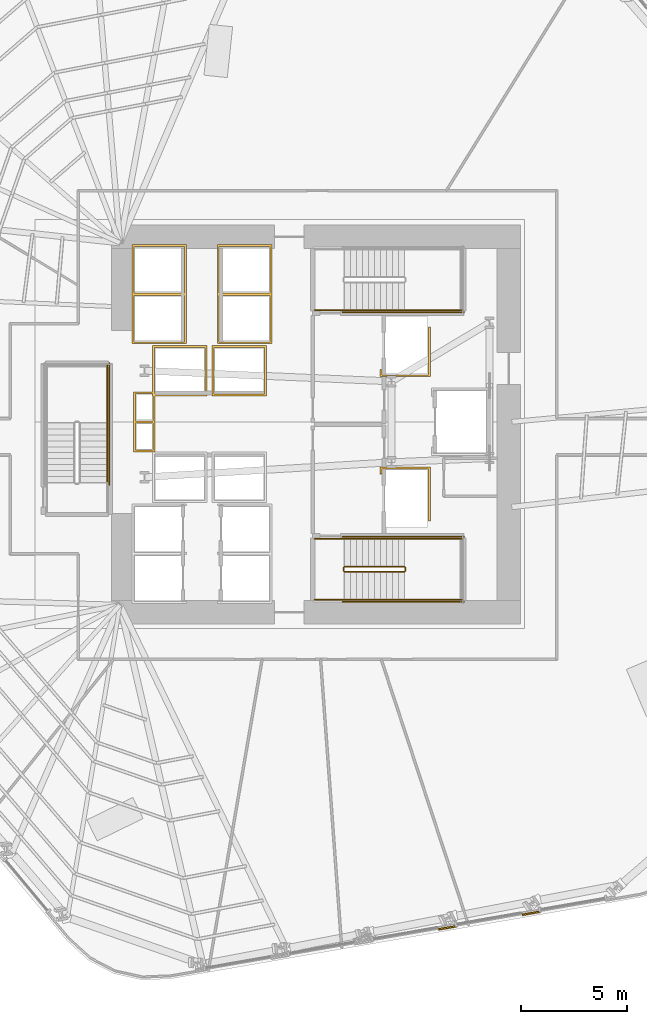
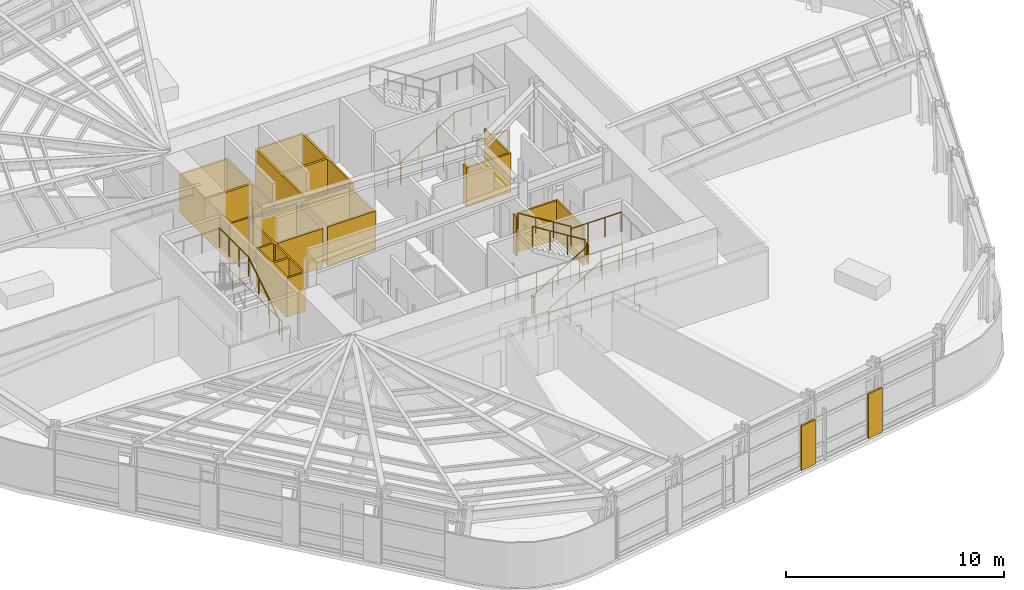
# One storey, part 12 of 16: 19 railings, 8 coverings.
"""IFC4 building model written with IfcOpenShell, lengths in metres."""

import ifcopenshell
import ifcopenshell.guid

model = None  # the IFC model being written
_history = None  # IfcOwnerHistory: only IFC2X3 demands one
_inside = {}  # id of a spatial element -> (the spatial element, [elements in it])
_under = {}  # id of a project, library or spatial element -> (it, [spatial elements below it])
_declared = {}  # id of a project -> (the project, [libraries it declares])
_typed = {}  # id of a type object -> (the type object, [elements of that type])
_made_of = {}  # id of a material, layer set ... -> (it, [elements and type objects made of it])


def new_model(schema):
    """Start an empty IFC model of exactly this schema.

    Asked for "IFC4X3", IfcOpenShell would pick the latest addendum, in which some entities
    have other attributes; the version numbers below select the first issue.
    IFC2X3 requires an IfcOwnerHistory on every rooted entity: one is made here for all.
    """
    global model, _history
    if schema == "IFC4X3":
        model = ifcopenshell.file(schema_version=(4, 3, 0, 0))
    else:
        model = ifcopenshell.file(schema=schema)
    _inside.clear()
    _under.clear()
    _declared.clear()
    _typed.clear()
    _made_of.clear()
    _history = None
    if model.schema == "IFC2X3":
        org = make("IfcOrganization", Name="unknown")
        user = make(
            "IfcPersonAndOrganization",
            ThePerson=make("IfcPerson", FamilyName="unknown"),
            TheOrganization=org,
        )
        app = make(
            "IfcApplication",
            ApplicationDeveloper=org,
            Version="unknown",
            ApplicationFullName="unknown",
            ApplicationIdentifier="unknown",
        )
        _history = make(
            "IfcOwnerHistory",
            OwningUser=user,
            OwningApplication=app,
            ChangeAction="ADDED",
            CreationDate=0,
        )
    return model


def make(cls, **values):
    """One entity of the class cls with the attributes given. An attribute that is None is left unset."""
    return model.create_entity(
        cls, **{name: value for name, value in values.items() if value is not None}
    )


def rooted(cls, **values):
    """An entity with a GlobalId (a new one), such as an element, a storey or a relation."""
    return make(cls, GlobalId=ifcopenshell.guid.new(), OwnerHistory=_history, **values)


def si_unit(unit_type, name, prefix=None):
    """IfcSIUnit, for example si_unit("LENGTHUNIT", "METRE", prefix="MILLI")."""
    return make("IfcSIUnit", UnitType=unit_type, Prefix=prefix, Name=name)


def assignment(units):
    """IfcUnitAssignment: the units of a project."""
    return None if units is None else make("IfcUnitAssignment", Units=units)


def point(xyz):
    """IfcCartesianPoint."""
    return None if xyz is None else make("IfcCartesianPoint", Coordinates=xyz)


def direction(xyz):
    """IfcDirection."""
    return None if xyz is None else make("IfcDirection", DirectionRatios=xyz)


def frame(location, z_axis=None, x_axis=None):
    """IfcAxis2Placement3D, a coordinate frame: its origin and axes. An axis left out is left unset."""
    return make(
        "IfcAxis2Placement3D",
        Location=point(location),
        Axis=direction(z_axis),
        RefDirection=direction(x_axis),
    )


def frame_2d(location, x_axis=None):
    """IfcAxis2Placement2D, a coordinate frame in the plane: its origin and x axis."""
    return make(
        "IfcAxis2Placement2D", Location=point(location), RefDirection=direction(x_axis)
    )


def origin():
    """The frame at (0, 0, 0) with its axes left unset."""
    return frame((0.0, 0.0, 0.0))


def origin_2d():
    """The frame at (0, 0) in the plane with its x axis left unset."""
    return frame_2d((0.0, 0.0))


def place(relative_to, where):
    """IfcLocalPlacement: puts the frame where relative to a parent placement (None: the world)."""
    return make(
        "IfcLocalPlacement", PlacementRelTo=relative_to, RelativePlacement=where
    )


def context(
    kind, dimensions, precision=None, world=None, true_north=None, identifier=None
):
    """IfcGeometricRepresentationContext, for example the 3D "Model" context."""
    return make(
        "IfcGeometricRepresentationContext",
        ContextIdentifier=identifier,
        ContextType=kind,
        CoordinateSpaceDimension=dimensions,
        Precision=precision,
        WorldCoordinateSystem=world,
        TrueNorth=true_north,
    )


def subcontext(parent, identifier, kind, view, scale=None):
    """IfcGeometricRepresentationSubContext, for example "Body" below "Model"."""
    return make(
        "IfcGeometricRepresentationSubContext",
        ContextIdentifier=identifier,
        ContextType=kind,
        ParentContext=parent,
        TargetScale=scale,
        TargetView=view,
    )


def project(units=None, contexts=None):
    """IfcProject with its units and contexts."""
    return rooted(
        "IfcProject",
        Name="project",
        RepresentationContexts=contexts,
        UnitsInContext=assignment(units),
    )


def spatial(cls, under=None, at=None, **own):
    """A site, building, storey or space (cls), placed at a placement, below another one or the project."""
    s = rooted(cls, ObjectPlacement=at, **own)
    if under is not None:
        _under.setdefault(under.id(), (under, []))[1].append(s)
    return s


def polyline(points):
    """IfcPolyline through the points."""
    return make("IfcPolyline", Points=[point(p) for p in points])


def profile(cls, at=None, kind="AREA", **sizes):
    """A parametric profile (cls). Its sizes go by their IFC names, for example OverallWidth=200.0."""
    return make(cls, ProfileType=kind, Position=at, **sizes)


def circle(**sizes):
    """IfcCircleProfileDef."""
    return profile("IfcCircleProfileDef", **sizes)


def outline(outer, holes=None, kind="AREA"):
    """IfcArbitraryClosedProfileDef: a profile drawn as a closed curve; with holes, ...WithVoids."""
    if holes is None:
        return make("IfcArbitraryClosedProfileDef", ProfileType=kind, OuterCurve=outer)
    return make(
        "IfcArbitraryProfileDefWithVoids",
        ProfileType=kind,
        OuterCurve=outer,
        InnerCurves=holes,
    )


def extrude(swept, where, along, depth):
    """IfcExtrudedAreaSolid: the profile swept, set in the frame where, extruded along a direction by depth."""
    return make(
        "IfcExtrudedAreaSolid",
        SweptArea=swept,
        Position=where,
        ExtrudedDirection=direction(along),
        Depth=depth,
    )


def shape(context_of_items, identifier, shape_type, items):
    """IfcShapeRepresentation: the items that make up one representation, for example the "Body"."""
    return make(
        "IfcShapeRepresentation",
        ContextOfItems=context_of_items,
        RepresentationIdentifier=identifier,
        RepresentationType=shape_type,
        Items=items,
    )


def material(Name=None, Category=None):
    """IfcMaterial."""
    return make("IfcMaterial", Name=Name, Category=Category)


def layer(
    of_material, thickness, ventilated=None, Name=None, Category=None, Priority=None
):
    """IfcMaterialLayer: one layer of a wall or slab, of a material (None: an air gap)."""
    return make(
        "IfcMaterialLayer",
        Material=of_material,
        LayerThickness=thickness,
        IsVentilated=ventilated,
        Name=Name,
        Category=Category,
        Priority=Priority,
    )


def layer_set(layers, Name=None):
    """IfcMaterialLayerSet."""
    return make("IfcMaterialLayerSet", MaterialLayers=layers, LayerSetName=Name)


def made_of(thing, what):
    """Note that an element or type object is made of a material, layer set ...; save() writes the relation."""
    if what is not None:
        _made_of.setdefault(what.id(), (what, []))[1].append(thing)
    return thing


def type_object(cls, material=None, **own):
    """A type object (cls), such as IfcWallType, which elements share."""
    return made_of(rooted(cls, **own), material)


def element(
    cls,
    number,
    at=None,
    inside=None,
    cuts=None,
    type_object=None,
    material=None,
    context=None,
    identifier="Body",
    shape_type=None,
    held_by="IfcProductDefinitionShape",
    body=None,
    shapes=None,
    **own,
):
    """One element of the class cls, such as IfcWall. Its Tag is "e" and its number.

    at: its placement. inside: the storey or other place that contains it. cuts: it is an
    opening in that element (IfcRelVoidsElement). A single representation is given by context,
    identifier, shape_type and body (its items); several are given by shapes. held_by: the class
    of the entity that holds the representations. save() writes the other relations.
    """
    e = rooted(cls, Tag="e%d" % number, ObjectPlacement=at, **own)
    if body is not None:
        shapes = [shape(context, identifier, shape_type, body)]
    if shapes is not None:
        e.Representation = make(held_by, Representations=shapes)
    if inside is not None:
        _inside.setdefault(inside.id(), (inside, []))[1].append(e)
    if cuts is not None:
        rooted(
            "IfcRelVoidsElement", RelatingBuildingElement=cuts, RelatedOpeningElement=e
        )
    if type_object is not None:
        _typed.setdefault(type_object.id(), (type_object, []))[1].append(e)
    return made_of(e, material)


def aggregate(whole, parts):
    """IfcRelAggregates: a whole, such as a stair, and the parts it consists of."""
    return rooted("IfcRelAggregates", RelatingObject=whole, RelatedObjects=parts)


def save(model, path):
    """Write the relations noted so far, then the file.

    IfcRelAggregates (storeys below a building ...), IfcRelContainedInSpatialStructure (elements
    in a storey), IfcRelDefinesByType, IfcRelAssociatesMaterial and IfcRelDeclares: one each for
    every whole, place, type object, material and project.
    """
    for whole, parts in _under.values():
        aggregate(whole, parts)
    for where, things in _inside.values():
        rooted(
            "IfcRelContainedInSpatialStructure",
            RelatedElements=things,
            RelatingStructure=where,
        )
    for kind, things in _typed.values():
        rooted("IfcRelDefinesByType", RelatedObjects=things, RelatingType=kind)
    for what, things in _made_of.values():
        rooted("IfcRelAssociatesMaterial", RelatedObjects=things, RelatingMaterial=what)
    for by, libraries in _declared.values():
        rooted("IfcRelDeclares", RelatingContext=by, RelatedDefinitions=libraries)
    model.write(path)


model = new_model("IFC4")

# Units and contexts
model_context = context("Model", 3, precision=1e-05, world=origin(), true_north=direction((0.0, 1.0)))
body_context = subcontext(model_context, "Body", "Model", "MODEL_VIEW")
ifc_project = project(units=[si_unit("LENGTHUNIT", "METRE"), si_unit("AREAUNIT", "SQUARE_METRE"), si_unit("VOLUMEUNIT", "CUBIC_METRE"), si_unit("PLANEANGLEUNIT", "RADIAN"), si_unit("MASSUNIT", "GRAM", prefix="KILO")], contexts=[model_context])

# Site, building, storey
site_placement = place(None, origin())
site = spatial("IfcSite", under=ifc_project, at=site_placement, CompositionType="ELEMENT")
building_placement = place(site_placement, origin())
building = spatial("IfcBuilding", under=site, at=building_placement, Name="Valkerne Bourse Tower", CompositionType="ELEMENT")
storey_placement = place(building_placement, frame((0.0, 0.0, 65.800048828125)))
storey = spatial("IfcBuildingStorey", under=building, at=storey_placement, Name="L16", CompositionType="ELEMENT", Elevation=65.800048828125)

# Coverings
ifc_material_1 = material(Name="Bronze Anodised Aluminium AA 6063-T6", Category="aluminium")
ifc_layer_1 = layer(ifc_material_1, 0.06005859375)
ifc_layer_set_1 = layer_set([ifc_layer_1], Name="Bronze Anodised Aluminium AA 6063-T6")
covering_type_1 = type_object("IfcCoveringType", Name="COV-CRN-ALUM", PredefinedType="CLADDING", material=ifc_layer_set_1)
covering_1_placement = place(storey_placement, origin())
element("IfcCovering", 1, at=covering_1_placement, inside=storey, type_object=covering_type_1, Name="L16 Wind-Shaped Corner Aluminium Cladding 02", PredefinedType="CLADDING", context=body_context, shape_type="SweptSolid", body=[
    extrude(outline(polyline([(56.5048828125, 3.81298828125), (56.4912109375, 3.891845703125), (57.31884765625, 4.03564453125), (57.332763671875, 3.956787109375), (56.5048828125, 3.81298828125)])), origin(), (0.0, 0.0, 1.0), 2.5),
])
covering_2_placement = place(storey_placement, origin())
element("IfcCovering", 2, at=covering_2_placement, inside=storey, type_object=covering_type_1, Name="L16 Wind-Shaped Corner Aluminium Cladding 03", PredefinedType="CLADDING", context=body_context, shape_type="SweptSolid", body=[
    extrude(outline(polyline([(52.56787109375, 3.129638671875), (52.55419921875, 3.20849609375), (53.3818359375, 3.35205078125), (53.3955078125, 3.273193359375), (52.56787109375, 3.129638671875)])), origin(), (0.0, 0.0, 1.0), 2.5),
])
ifc_material_2 = material(Name="Gypsum Shaftwall Liner Board", Category="gypsum")
ifc_layer_2 = layer(ifc_material_2, 0.080078125)
ifc_layer_set_2 = layer_set([ifc_layer_2], Name="Gypsum Shaftwall Liner Board")
covering_type_2 = type_object("IfcCoveringType", Name="COV-SHF-CLAD", PredefinedType="CLADDING", material=ifc_layer_set_2)
covering_3_placement = place(storey_placement, origin())
element("IfcCovering", 3, at=covering_3_placement, inside=storey, type_object=covering_type_2, Name="L16 Hoistway & Riser Shaftwall Liner 04", PredefinedType="CLADDING", context=body_context, shape_type="SweptSolid", body=[
    extrude(outline(polyline([(38.239990234375, 28.409912109375), (39.1201171875, 28.409912109375), (39.1201171875, 30.580078125), (41.679931640625, 30.580078125), (41.679931640625, 28.219970703125), (39.239990234375, 28.219970703125), (39.239990234375, 27.0400390625), (39.239990234375, 26.9599609375), (39.239990234375, 25.590087890625), (38.239990234375, 25.590087890625), (38.239990234375, 26.9599609375), (38.239990234375, 27.0400390625), (38.239990234375, 28.409912109375)]), holes=[polyline([(39.2099609375, 30.489990234375), (39.2099609375, 28.409912109375), (39.239990234375, 28.409912109375), (39.239990234375, 28.31005859375), (41.590087890625, 28.31005859375), (41.590087890625, 30.489990234375), (39.2099609375, 30.489990234375)]), polyline([(38.330078125, 26.949951171875), (38.330078125, 25.679931640625), (39.14990234375, 25.679931640625), (39.14990234375, 26.949951171875), (38.330078125, 26.949951171875)]), polyline([(39.1201171875, 28.219970703125), (39.1201171875, 28.320068359375), (38.330078125, 28.320068359375), (38.330078125, 27.050048828125), (39.14990234375, 27.050048828125), (39.14990234375, 28.219970703125), (39.1201171875, 28.219970703125)])]), origin(), (0.0, 0.0, 1.0), 2.179931640625),
])
covering_4_placement = place(storey_placement, origin())
element("IfcCovering", 4, at=covering_4_placement, inside=storey, type_object=covering_type_2, Name="L16 Hoistway & Riser Shaftwall Liner 05", PredefinedType="CLADDING", context=body_context, shape_type="SweptSolid", body=[
    extrude(outline(polyline([(38.169921875, 35.330078125), (40.72998046875, 35.330078125), (40.72998046875, 33.030029296875), (40.72998046875, 32.969970703125), (40.72998046875, 30.669921875), (38.169921875, 30.669921875), (38.169921875, 32.969970703125), (38.169921875, 33.030029296875), (38.169921875, 35.330078125)]), holes=[polyline([(38.260009765625, 32.93994140625), (38.260009765625, 30.760009765625), (40.639892578125, 30.760009765625), (40.639892578125, 32.93994140625), (38.260009765625, 32.93994140625)]), polyline([(38.260009765625, 35.239990234375), (38.260009765625, 33.06005859375), (40.639892578125, 33.06005859375), (40.639892578125, 35.239990234375), (38.260009765625, 35.239990234375)])]), origin(), (0.0, 0.0, 1.0), 2.179931640625),
])
covering_5_placement = place(storey_placement, origin())
element("IfcCovering", 5, at=covering_5_placement, inside=storey, type_object=covering_type_2, Name="L16 Hoistway & Riser Shaftwall Liner 07", PredefinedType="CLADDING", context=body_context, shape_type="SweptSolid", body=[
    extrude(outline(polyline([(52.179931640625, 22.35009765625), (52.090087890625, 22.35009765625), (52.090087890625, 24.7900390625), (49.909912109375, 24.7900390625), (49.909912109375, 24.560791015625), (49.869384765625, 24.550537109375), (49.827880859375, 24.53564453125), (49.820068359375, 24.531982421875), (49.820068359375, 24.8798828125), (52.179931640625, 24.8798828125), (52.179931640625, 22.35009765625)])), origin(), (0.0, 0.0, 1.0), 2.179931640625),
])
covering_6_placement = place(storey_placement, origin())
element("IfcCovering", 6, at=covering_6_placement, inside=storey, type_object=covering_type_2, Name="L16 Hoistway & Riser Shaftwall Liner 09", PredefinedType="CLADDING", context=body_context, shape_type="SweptSolid", body=[
    extrude(outline(polyline([(44.47998046875, 28.219970703125), (41.919921875, 28.219970703125), (41.919921875, 30.580078125), (44.47998046875, 30.580078125), (44.47998046875, 28.219970703125)]), holes=[polyline([(42.010009765625, 30.489990234375), (42.010009765625, 28.31005859375), (44.389892578125, 28.31005859375), (44.389892578125, 30.489990234375), (42.010009765625, 30.489990234375)])]), origin(), (0.0, 0.0, 1.0), 2.179931640625),
])
covering_7_placement = place(storey_placement, origin())
element("IfcCovering", 7, at=covering_7_placement, inside=storey, type_object=covering_type_2, Name="L16 Hoistway & Riser Shaftwall Liner 10", PredefinedType="CLADDING", context=body_context, shape_type="SweptSolid", body=[
    extrude(outline(polyline([(49.820068359375, 29.1201171875), (49.820068359375, 29.468017578125), (49.827880859375, 29.46435546875), (49.869384765625, 29.449462890625), (49.909912109375, 29.439208984375), (49.909912109375, 29.2099609375), (52.090087890625, 29.2099609375), (52.090087890625, 31.449951171875), (52.179931640625, 31.449951171875), (52.179931640625, 29.1201171875), (49.820068359375, 29.1201171875)])), origin(), (0.0, 0.0, 1.0), 2.179931640625),
])
covering_8_placement = place(storey_placement, origin())
element("IfcCovering", 8, at=covering_8_placement, inside=storey, type_object=covering_type_2, Name="L16 Hoistway & Riser Shaftwall Liner 11", PredefinedType="CLADDING", context=body_context, shape_type="SweptSolid", body=[
    extrude(outline(polyline([(44.72998046875, 35.330078125), (44.72998046875, 33.030029296875), (44.72998046875, 32.969970703125), (44.72998046875, 30.669921875), (42.169921875, 30.669921875), (42.169921875, 32.969970703125), (42.169921875, 33.030029296875), (42.169921875, 35.330078125), (44.72998046875, 35.330078125)]), holes=[polyline([(42.260009765625, 30.760009765625), (44.639892578125, 30.760009765625), (44.639892578125, 32.93994140625), (42.260009765625, 32.93994140625), (42.260009765625, 30.760009765625)]), polyline([(42.260009765625, 33.06005859375), (44.639892578125, 33.06005859375), (44.639892578125, 35.239990234375), (42.260009765625, 35.239990234375), (42.260009765625, 33.06005859375)])]), origin(), (0.0, 0.0, 1.0), 2.179931640625),
])

# Railings
ifc_material_3 = material(Name="Galvanised Painted Steel", Category="steel")
railing_type_1 = type_object("IfcRailingType", Name="RLG-ST-GUARD-1120", PredefinedType="GUARDRAIL", material=ifc_material_3)
railing_1_placement = place(storey_placement, frame((48.14990234375, 19.949951171875, 0.172607421875)))
element("IfcRailing", 9, at=railing_1_placement, inside=storey, type_object=railing_type_1, Name="L16 ST-1 stair guard 1", PredefinedType="GUARDRAIL", context=body_context, shape_type="SweptSolid", body=[
    extrude(circle(Radius=0.02392578125, at=origin_2d()), frame((0.0, 0.0, 1.09619140625), z_axis=(0.851089632645, 0.0, 0.525020415988), x_axis=(0.0, 1.0, 0.0)), (0.0, 0.0, 1.0), 3.2900390625),
    extrude(circle(Radius=0.02099609375, at=origin_2d()), origin(), (0.0, 0.0, 1.0), 1.072021484375),
    extrude(circle(Radius=0.02099609375, at=origin_2d()), frame((0.933349609375, 0.0, 0.57568359375)), (0.0, 0.0, 1.0), 1.072021484375),
    extrude(circle(Radius=0.02099609375, at=origin_2d()), frame((1.86669921875, 0.0, 1.151611328125)), (0.0, 0.0, 1.0), 1.072021484375),
    extrude(circle(Radius=0.02099609375, at=origin_2d()), frame((2.800048828125, 0.0, 1.727294921875)), (0.0, 0.0, 1.0), 1.072021484375),
])
railing_2_placement = place(storey_placement, frame((51.0, 20.0, 1.89990234375)))
element("IfcRailing", 10, at=railing_2_placement, inside=storey, type_object=railing_type_1, Name="L16 ST-1 stair guard 2", PredefinedType="GUARDRAIL", context=body_context, shape_type="SweptSolid", body=[
    extrude(circle(Radius=0.02392578125, at=origin_2d()), frame((0.0, 0.0, 1.09619140625), z_axis=(0.0, 1.0, 0.0), x_axis=(-1.0, 0.0, 0.0)), (0.0, 0.0, 1.0), 0.14990234375),
    extrude(circle(Radius=0.02099609375, at=origin_2d()), origin(), (0.0, 0.0, 1.0), 1.072021484375),
    extrude(circle(Radius=0.02099609375, at=origin_2d()), frame((0.0, 0.14990234375, 0.0)), (0.0, 0.0, 1.0), 1.072021484375),
])
for number, where, name in (
    (11, (50.949951171875, 18.64990234375, 1.89990234375), "L16 ST-1 stair guard 3"),
    (12, (50.949951171875, 21.5, 1.89990234375), "L16 ST-1 stair guard 4"),
):
    element("IfcRailing", number, at=place(storey_placement, frame(where)), inside=storey, type_object=railing_type_1, Name=name, PredefinedType="GUARDRAIL", context=body_context, shape_type="SweptSolid", body=[
        extrude(circle(Radius=0.02392578125, at=origin_2d()), frame((0.0, 0.0, 1.09619140625), z_axis=(1.0, 0.0, 0.0), x_axis=(0.0, 1.0, 0.0)), (0.0, 0.0, 1.0), 2.699951171875),
        extrude(circle(Radius=0.02099609375, at=origin_2d()), origin(), (0.0, 0.0, 1.0), 1.072021484375),
        extrude(circle(Radius=0.02099609375, at=origin_2d()), frame((0.89990234375, 0.0, 0.0)), (0.0, 0.0, 1.0), 1.072021484375),
        extrude(circle(Radius=0.02099609375, at=origin_2d()), frame((1.800048828125, 0.0, 0.0)), (0.0, 0.0, 1.0), 1.072021484375),
        extrude(circle(Radius=0.02099609375, at=origin_2d()), frame((2.699951171875, 0.0, 0.0)), (0.0, 0.0, 1.0), 1.072021484375),
    ])
railing_3_placement = place(storey_placement, frame((50.949951171875, 20.199951171875, 2.07275390625)))
element("IfcRailing", 13, at=railing_3_placement, inside=storey, type_object=railing_type_1, Name="L16 ST-1 stair guard 6", PredefinedType="GUARDRAIL", context=body_context, shape_type="SweptSolid", body=[
    extrude(circle(Radius=0.02392578125, at=origin_2d()), frame((0.0, 0.0, 1.09619140625), z_axis=(-0.851089632645, 0.0, 0.525020415988), x_axis=(0.0, -1.0, 0.0)), (0.0, 0.0, 1.0), 3.2900390625),
    extrude(circle(Radius=0.02099609375, at=origin_2d()), origin(), (0.0, 0.0, 1.0), 1.072021484375),
    extrude(circle(Radius=0.02099609375, at=origin_2d()), frame((-0.933349609375, 0.0, 0.57568359375)), (0.0, 0.0, 1.0), 1.072021484375),
    extrude(circle(Radius=0.02099609375, at=origin_2d()), frame((-1.86669921875, 0.0, 1.151611328125)), (0.0, 0.0, 1.0), 1.072021484375),
    extrude(circle(Radius=0.02099609375, at=origin_2d()), frame((-2.800048828125, 0.0, 1.727294921875)), (0.0, 0.0, 1.0), 1.072021484375),
])
railing_4_placement = place(storey_placement, frame((48.10009765625, 20.0, 0.0)))
element("IfcRailing", 14, at=railing_4_placement, inside=storey, type_object=railing_type_1, Name="L16 ST-1 stair guard 7", PredefinedType="GUARDRAIL", context=body_context, shape_type="SweptSolid", body=[
    extrude(circle(Radius=0.02392578125, at=origin_2d()), frame((0.0, 0.0, 1.09619140625), z_axis=(0.0, 1.0, 0.0), x_axis=(-1.0, 0.0, 0.0)), (0.0, 0.0, 1.0), 0.14990234375),
    extrude(circle(Radius=0.02099609375, at=origin_2d()), origin(), (0.0, 0.0, 1.0), 1.072021484375),
    extrude(circle(Radius=0.02099609375, at=origin_2d()), frame((0.0, 0.14990234375, 0.0)), (0.0, 0.0, 1.0), 1.072021484375),
])
for number, where, name in (
    (15, (46.75, 18.64990234375, 0.0), "L16 ST-1 stair guard 8"),
    (16, (46.75, 21.5, 0.0), "L16 ST-1 stair guard 9"),
):
    element("IfcRailing", number, at=place(storey_placement, frame(where)), inside=storey, type_object=railing_type_1, Name=name, PredefinedType="GUARDRAIL", context=body_context, shape_type="SweptSolid", body=[
        extrude(circle(Radius=0.02392578125, at=origin_2d()), frame((0.0, 0.0, 1.09619140625), z_axis=(1.0, 0.0, 0.0), x_axis=(0.0, 1.0, 0.0)), (0.0, 0.0, 1.0), 1.39990234375),
        extrude(circle(Radius=0.02099609375, at=origin_2d()), origin(), (0.0, 0.0, 1.0), 1.072021484375),
        extrude(circle(Radius=0.02099609375, at=origin_2d()), frame((0.699951171875, 0.0, 0.0)), (0.0, 0.0, 1.0), 1.072021484375),
        extrude(circle(Radius=0.02099609375, at=origin_2d()), frame((1.39990234375, 0.0, 0.0)), (0.0, 0.0, 1.0), 1.072021484375),
    ])
for number, where, name in (
    (17, (48.050048828125, 18.550048828125, 0.0), "L16 ST-1 stair guard 10"),
    (18, (48.050048828125, 21.60009765625, 0.0), "L16 ST-1 stair guard 11"),
):
    element("IfcRailing", number, at=place(storey_placement, frame(where)), inside=storey, type_object=railing_type_1, Name=name, PredefinedType="GUARDRAIL", context=body_context, shape_type="SweptSolid", body=[
        extrude(circle(Radius=0.02392578125, at=origin_2d()), frame((0.0, 0.0, 1.09619140625), z_axis=(1.0, 0.0, 0.0), x_axis=(0.0, 1.0, 0.0)), (0.0, 0.0, 1.0), 5.699951171875),
        extrude(circle(Radius=0.02099609375, at=origin_2d()), origin(), (0.0, 0.0, 1.0), 1.072021484375),
        extrude(circle(Radius=0.02099609375, at=origin_2d()), frame((1.139892578125, 0.0, 0.0)), (0.0, 0.0, 1.0), 1.072021484375),
        extrude(circle(Radius=0.02099609375, at=origin_2d()), frame((2.280029296875, 0.0, 0.0)), (0.0, 0.0, 1.0), 1.072021484375),
        extrude(circle(Radius=0.02099609375, at=origin_2d()), frame((3.419921875, 0.0, 0.0)), (0.0, 0.0, 1.0), 1.072021484375),
        extrude(circle(Radius=0.02099609375, at=origin_2d()), frame((4.56005859375, 0.0, 0.0)), (0.0, 0.0, 1.0), 1.072021484375),
        extrude(circle(Radius=0.02099609375, at=origin_2d()), frame((5.699951171875, 0.0, 0.0)), (0.0, 0.0, 1.0), 1.072021484375),
    ])
railing_5_placement = place(storey_placement, frame((50.949951171875, 32.25, 1.89990234375)))
element("IfcRailing", 19, at=railing_5_placement, inside=storey, type_object=railing_type_1, Name="L16 ST-2 stair guard 3", PredefinedType="GUARDRAIL", context=body_context, shape_type="SweptSolid", body=[
    extrude(circle(Radius=0.02392578125, at=origin_2d()), frame((0.0, 0.0, 1.09619140625), z_axis=(1.0, 0.0, 0.0), x_axis=(0.0, 1.0, 0.0)), (0.0, 0.0, 1.0), 2.699951171875),
    extrude(circle(Radius=0.02099609375, at=origin_2d()), origin(), (0.0, 0.0, 1.0), 1.072021484375),
    extrude(circle(Radius=0.02099609375, at=origin_2d()), frame((0.89990234375, 0.0, 0.0)), (0.0, 0.0, 1.0), 1.072021484375),
    extrude(circle(Radius=0.02099609375, at=origin_2d()), frame((1.800048828125, 0.0, 0.0)), (0.0, 0.0, 1.0), 1.072021484375),
    extrude(circle(Radius=0.02099609375, at=origin_2d()), frame((2.699951171875, 0.0, 0.0)), (0.0, 0.0, 1.0), 1.072021484375),
])
railing_6_placement = place(storey_placement, frame((46.75, 32.25, 0.0)))
element("IfcRailing", 20, at=railing_6_placement, inside=storey, type_object=railing_type_1, Name="L16 ST-2 stair guard 8", PredefinedType="GUARDRAIL", context=body_context, shape_type="SweptSolid", body=[
    extrude(circle(Radius=0.02392578125, at=origin_2d()), frame((0.0, 0.0, 1.09619140625), z_axis=(1.0, 0.0, 0.0), x_axis=(0.0, 1.0, 0.0)), (0.0, 0.0, 1.0), 1.39990234375),
    extrude(circle(Radius=0.02099609375, at=origin_2d()), origin(), (0.0, 0.0, 1.0), 1.072021484375),
    extrude(circle(Radius=0.02099609375, at=origin_2d()), frame((0.699951171875, 0.0, 0.0)), (0.0, 0.0, 1.0), 1.072021484375),
    extrude(circle(Radius=0.02099609375, at=origin_2d()), frame((1.39990234375, 0.0, 0.0)), (0.0, 0.0, 1.0), 1.072021484375),
])
railing_7_placement = place(storey_placement, frame((48.050048828125, 32.14990234375, 0.0)))
element("IfcRailing", 21, at=railing_7_placement, inside=storey, type_object=railing_type_1, Name="L16 ST-2 stair guard 10", PredefinedType="GUARDRAIL", context=body_context, shape_type="SweptSolid", body=[
    extrude(circle(Radius=0.02392578125, at=origin_2d()), frame((0.0, 0.0, 1.09619140625), z_axis=(1.0, 0.0, 0.0), x_axis=(0.0, 1.0, 0.0)), (0.0, 0.0, 1.0), 5.699951171875),
    extrude(circle(Radius=0.02099609375, at=origin_2d()), origin(), (0.0, 0.0, 1.0), 1.072021484375),
    extrude(circle(Radius=0.02099609375, at=origin_2d()), frame((1.139892578125, 0.0, 0.0)), (0.0, 0.0, 1.0), 1.072021484375),
    extrude(circle(Radius=0.02099609375, at=origin_2d()), frame((2.280029296875, 0.0, 0.0)), (0.0, 0.0, 1.0), 1.072021484375),
    extrude(circle(Radius=0.02099609375, at=origin_2d()), frame((3.419921875, 0.0, 0.0)), (0.0, 0.0, 1.0), 1.072021484375),
    extrude(circle(Radius=0.02099609375, at=origin_2d()), frame((4.56005859375, 0.0, 0.0)), (0.0, 0.0, 1.0), 1.072021484375),
    extrude(circle(Radius=0.02099609375, at=origin_2d()), frame((5.699951171875, 0.0, 0.0)), (0.0, 0.0, 1.0), 1.072021484375),
])
railing_8_placement = place(storey_placement, frame((37.0, 26.949951171875, 1.89990234375)))
element("IfcRailing", 22, at=railing_8_placement, inside=storey, type_object=railing_type_1, Name="L16 ST-3 stair guard 3", PredefinedType="GUARDRAIL", context=body_context, shape_type="SweptSolid", body=[
    extrude(circle(Radius=0.02392578125, at=origin_2d()), frame((0.0, 0.0, 1.09619140625), z_axis=(0.0, 1.0, 0.0), x_axis=(-1.0, 0.0, 0.0)), (0.0, 0.0, 1.0), 2.699951171875),
    extrude(circle(Radius=0.02099609375, at=origin_2d()), origin(), (0.0, 0.0, 1.0), 1.072021484375),
    extrude(circle(Radius=0.02099609375, at=origin_2d()), frame((0.0, 0.89990234375, 0.0)), (0.0, 0.0, 1.0), 1.072021484375),
    extrude(circle(Radius=0.02099609375, at=origin_2d()), frame((0.0, 1.800048828125, 0.0)), (0.0, 0.0, 1.0), 1.072021484375),
    extrude(circle(Radius=0.02099609375, at=origin_2d()), frame((0.0, 2.699951171875, 0.0)), (0.0, 0.0, 1.0), 1.072021484375),
])
railing_9_placement = place(storey_placement, frame((37.10009765625, 24.050048828125, 0.0)))
element("IfcRailing", 23, at=railing_9_placement, inside=storey, type_object=railing_type_1, Name="L16 ST-3 stair guard 10", PredefinedType="GUARDRAIL", context=body_context, shape_type="SweptSolid", body=[
    extrude(circle(Radius=0.02392578125, at=origin_2d()), frame((0.0, 0.0, 1.09619140625), z_axis=(0.0, 1.0, 0.0), x_axis=(-1.0, 0.0, 0.0)), (0.0, 0.0, 1.0), 5.699951171875),
    extrude(circle(Radius=0.02099609375, at=origin_2d()), origin(), (0.0, 0.0, 1.0), 1.072021484375),
    extrude(circle(Radius=0.02099609375, at=origin_2d()), frame((0.0, 1.139892578125, 0.0)), (0.0, 0.0, 1.0), 1.072021484375),
    extrude(circle(Radius=0.02099609375, at=origin_2d()), frame((0.0, 2.280029296875, 0.0)), (0.0, 0.0, 1.0), 1.072021484375),
    extrude(circle(Radius=0.02099609375, at=origin_2d()), frame((0.0, 3.419921875, 0.0)), (0.0, 0.0, 1.0), 1.072021484375),
    extrude(circle(Radius=0.02099609375, at=origin_2d()), frame((0.0, 4.56005859375, 0.0)), (0.0, 0.0, 1.0), 1.072021484375),
    extrude(circle(Radius=0.02099609375, at=origin_2d()), frame((0.0, 5.699951171875, 0.0)), (0.0, 0.0, 1.0), 1.072021484375),
])
ifc_material_4 = material(Name="Stainless Steel AISI 316", Category="steel")
railing_type_2 = type_object("IfcRailingType", Name="RLG-ST-HANDRAIL-900", PredefinedType="HANDRAIL", material=ifc_material_4)
railing_10_placement = place(storey_placement, frame((48.14990234375, 18.64990234375, 0.345458984375)))
element("IfcRailing", 24, at=railing_10_placement, inside=storey, type_object=railing_type_2, Name="L16 ST-1 stair handrail 1", PredefinedType="HANDRAIL", context=body_context, shape_type="SweptSolid", body=[
    extrude(circle(Radius=0.02392578125, at=origin_2d()), frame((0.0, 0.0, 0.8759765625), z_axis=(0.851089632645, 0.0, 0.525020415988), x_axis=(0.0, 1.0, 0.0)), (0.0, 0.0, 1.0), 3.2900390625),
    extrude(circle(Radius=0.02099609375, at=origin_2d()), origin(), (0.0, 0.0, 1.0), 0.851806640625),
    extrude(circle(Radius=0.02099609375, at=origin_2d()), frame((0.933349609375, 0.0, 0.57568359375)), (0.0, 0.0, 1.0), 0.851806640625),
    extrude(circle(Radius=0.02099609375, at=origin_2d()), frame((1.86669921875, 0.0, 1.151611328125)), (0.0, 0.0, 1.0), 0.851806640625),
    extrude(circle(Radius=0.02099609375, at=origin_2d()), frame((2.800048828125, 0.0, 1.727294921875)), (0.0, 0.0, 1.0), 0.851806640625),
])
railing_11_placement = place(storey_placement, frame((50.949951171875, 21.5, 2.245361328125)))
element("IfcRailing", 25, at=railing_11_placement, inside=storey, type_object=railing_type_2, Name="L16 ST-1 stair handrail 2", PredefinedType="HANDRAIL", context=body_context, shape_type="SweptSolid", body=[
    extrude(circle(Radius=0.02392578125, at=origin_2d()), frame((0.0, 0.0, 0.8759765625), z_axis=(-0.851089632645, 0.0, 0.525020415988), x_axis=(0.0, -1.0, 0.0)), (0.0, 0.0, 1.0), 3.2900390625),
    extrude(circle(Radius=0.02099609375, at=origin_2d()), origin(), (0.0, 0.0, 1.0), 0.851806640625),
    extrude(circle(Radius=0.02099609375, at=origin_2d()), frame((-0.933349609375, 0.0, 0.57568359375)), (0.0, 0.0, 1.0), 0.851806640625),
    extrude(circle(Radius=0.02099609375, at=origin_2d()), frame((-1.86669921875, 0.0, 1.151611328125)), (0.0, 0.0, 1.0), 0.851806640625),
    extrude(circle(Radius=0.02099609375, at=origin_2d()), frame((-2.800048828125, 0.0, 1.727294921875)), (0.0, 0.0, 1.0), 0.851806640625),
])
railing_12_placement = place(storey_placement, frame((48.14990234375, 32.25, 0.345458984375)))
element("IfcRailing", 26, at=railing_12_placement, inside=storey, type_object=railing_type_2, Name="L16 ST-2 stair handrail 1", PredefinedType="HANDRAIL", context=body_context, shape_type="SweptSolid", body=[
    extrude(circle(Radius=0.02392578125, at=origin_2d()), frame((0.0, 0.0, 0.8759765625), z_axis=(0.851089632645, 0.0, 0.525020415988), x_axis=(0.0, 1.0, 0.0)), (0.0, 0.0, 1.0), 3.2900390625),
    extrude(circle(Radius=0.02099609375, at=origin_2d()), origin(), (0.0, 0.0, 1.0), 0.851806640625),
    extrude(circle(Radius=0.02099609375, at=origin_2d()), frame((0.933349609375, 0.0, 0.57568359375)), (0.0, 0.0, 1.0), 0.851806640625),
    extrude(circle(Radius=0.02099609375, at=origin_2d()), frame((1.86669921875, 0.0, 1.151611328125)), (0.0, 0.0, 1.0), 0.851806640625),
    extrude(circle(Radius=0.02099609375, at=origin_2d()), frame((2.800048828125, 0.0, 1.727294921875)), (0.0, 0.0, 1.0), 0.851806640625),
])
railing_13_placement = place(storey_placement, frame((37.0, 24.14990234375, 0.345458984375)))
element("IfcRailing", 27, at=railing_13_placement, inside=storey, type_object=railing_type_2, Name="L16 ST-3 stair handrail 1", PredefinedType="HANDRAIL", context=body_context, shape_type="SweptSolid", body=[
    extrude(circle(Radius=0.02392578125, at=origin_2d()), frame((0.0, 0.0, 0.8759765625), z_axis=(0.0, 0.851089632645, 0.525020415988), x_axis=(-1.0, 0.0, 0.0)), (0.0, 0.0, 1.0), 3.2900390625),
    extrude(circle(Radius=0.02099609375, at=origin_2d()), origin(), (0.0, 0.0, 1.0), 0.851806640625),
    extrude(circle(Radius=0.02099609375, at=origin_2d()), frame((0.0, 0.933349609375, 0.57568359375)), (0.0, 0.0, 1.0), 0.851806640625),
    extrude(circle(Radius=0.02099609375, at=origin_2d()), frame((0.0, 1.86669921875, 1.151611328125)), (0.0, 0.0, 1.0), 0.851806640625),
    extrude(circle(Radius=0.02099609375, at=origin_2d()), frame((0.0, 2.800048828125, 1.727294921875)), (0.0, 0.0, 1.0), 0.851806640625),
])

save(model, "model.ifc")
